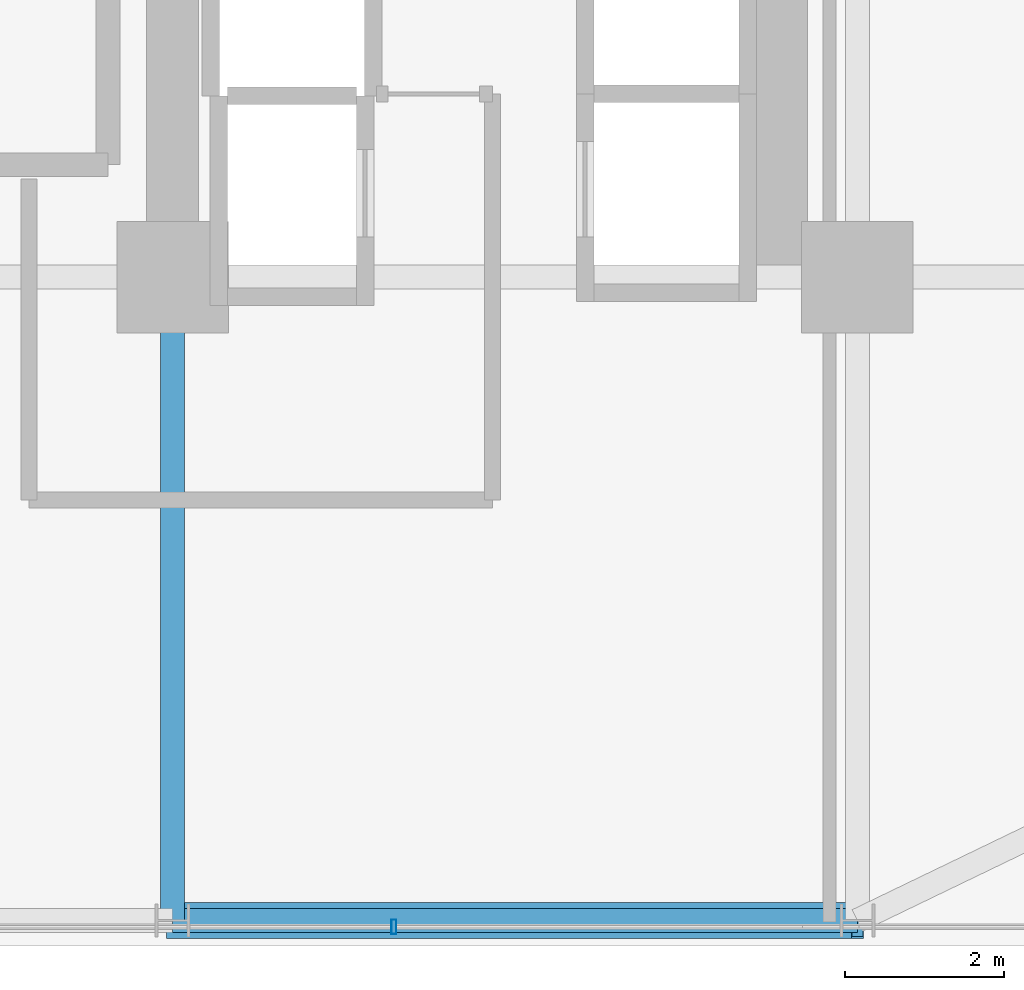
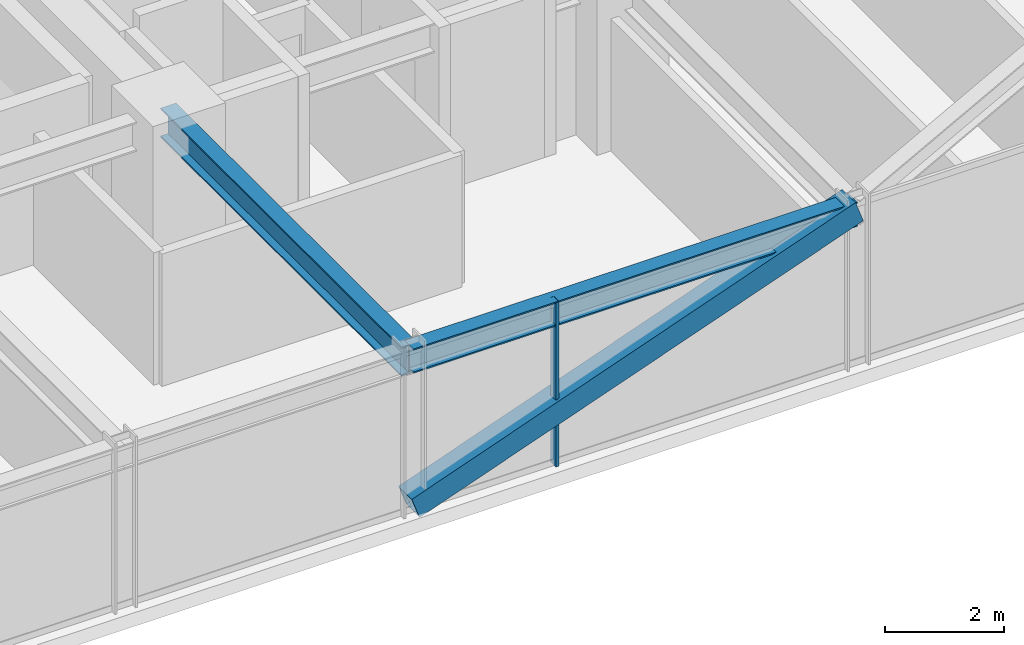
# One storey, part 12 of 36: 2 beams, 2 members, 1 element without a shape of its own.
"""IFC4 building model written with IfcOpenShell, lengths in metres."""

import ifcopenshell
import ifcopenshell.guid

model = None  # the IFC model being written
_history = None  # IfcOwnerHistory: only IFC2X3 demands one
_inside = {}  # id of a spatial element -> (the spatial element, [elements in it])
_under = {}  # id of a project, library or spatial element -> (it, [spatial elements below it])
_declared = {}  # id of a project -> (the project, [libraries it declares])
_typed = {}  # id of a type object -> (the type object, [elements of that type])
_made_of = {}  # id of a material, layer set ... -> (it, [elements and type objects made of it])


def new_model(schema):
    """Start an empty IFC model of exactly this schema.

    Asked for "IFC4X3", IfcOpenShell would pick the latest addendum, in which some entities
    have other attributes; the version numbers below select the first issue.
    IFC2X3 requires an IfcOwnerHistory on every rooted entity: one is made here for all.
    """
    global model, _history
    if schema == "IFC4X3":
        model = ifcopenshell.file(schema_version=(4, 3, 0, 0))
    else:
        model = ifcopenshell.file(schema=schema)
    _inside.clear()
    _under.clear()
    _declared.clear()
    _typed.clear()
    _made_of.clear()
    _history = None
    if model.schema == "IFC2X3":
        org = make("IfcOrganization", Name="unknown")
        user = make(
            "IfcPersonAndOrganization",
            ThePerson=make("IfcPerson", FamilyName="unknown"),
            TheOrganization=org,
        )
        app = make(
            "IfcApplication",
            ApplicationDeveloper=org,
            Version="unknown",
            ApplicationFullName="unknown",
            ApplicationIdentifier="unknown",
        )
        _history = make(
            "IfcOwnerHistory",
            OwningUser=user,
            OwningApplication=app,
            ChangeAction="ADDED",
            CreationDate=0,
        )
    return model


def make(cls, **values):
    """One entity of the class cls with the attributes given. An attribute that is None is left unset."""
    return model.create_entity(
        cls, **{name: value for name, value in values.items() if value is not None}
    )


def rooted(cls, **values):
    """An entity with a GlobalId (a new one), such as an element, a storey or a relation."""
    return make(cls, GlobalId=ifcopenshell.guid.new(), OwnerHistory=_history, **values)


def si_unit(unit_type, name, prefix=None):
    """IfcSIUnit, for example si_unit("LENGTHUNIT", "METRE", prefix="MILLI")."""
    return make("IfcSIUnit", UnitType=unit_type, Prefix=prefix, Name=name)


def assignment(units):
    """IfcUnitAssignment: the units of a project."""
    return None if units is None else make("IfcUnitAssignment", Units=units)


def point(xyz):
    """IfcCartesianPoint."""
    return None if xyz is None else make("IfcCartesianPoint", Coordinates=xyz)


def direction(xyz):
    """IfcDirection."""
    return None if xyz is None else make("IfcDirection", DirectionRatios=xyz)


def frame(location, z_axis=None, x_axis=None):
    """IfcAxis2Placement3D, a coordinate frame: its origin and axes. An axis left out is left unset."""
    return make(
        "IfcAxis2Placement3D",
        Location=point(location),
        Axis=direction(z_axis),
        RefDirection=direction(x_axis),
    )


def frame_2d(location, x_axis=None):
    """IfcAxis2Placement2D, a coordinate frame in the plane: its origin and x axis."""
    return make(
        "IfcAxis2Placement2D", Location=point(location), RefDirection=direction(x_axis)
    )


def origin():
    """The frame at (0, 0, 0) with its axes left unset."""
    return frame((0.0, 0.0, 0.0))


def origin_2d():
    """The frame at (0, 0) in the plane with its x axis left unset."""
    return frame_2d((0.0, 0.0))


def place(relative_to, where):
    """IfcLocalPlacement: puts the frame where relative to a parent placement (None: the world)."""
    return make(
        "IfcLocalPlacement", PlacementRelTo=relative_to, RelativePlacement=where
    )


def context(
    kind, dimensions, precision=None, world=None, true_north=None, identifier=None
):
    """IfcGeometricRepresentationContext, for example the 3D "Model" context."""
    return make(
        "IfcGeometricRepresentationContext",
        ContextIdentifier=identifier,
        ContextType=kind,
        CoordinateSpaceDimension=dimensions,
        Precision=precision,
        WorldCoordinateSystem=world,
        TrueNorth=true_north,
    )


def subcontext(parent, identifier, kind, view, scale=None):
    """IfcGeometricRepresentationSubContext, for example "Body" below "Model"."""
    return make(
        "IfcGeometricRepresentationSubContext",
        ContextIdentifier=identifier,
        ContextType=kind,
        ParentContext=parent,
        TargetScale=scale,
        TargetView=view,
    )


def project(units=None, contexts=None):
    """IfcProject with its units and contexts."""
    return rooted(
        "IfcProject",
        Name="project",
        RepresentationContexts=contexts,
        UnitsInContext=assignment(units),
    )


def spatial(cls, under=None, at=None, **own):
    """A site, building, storey or space (cls), placed at a placement, below another one or the project."""
    s = rooted(cls, ObjectPlacement=at, **own)
    if under is not None:
        _under.setdefault(under.id(), (under, []))[1].append(s)
    return s


def profile(cls, at=None, kind="AREA", **sizes):
    """A parametric profile (cls). Its sizes go by their IFC names, for example OverallWidth=200.0."""
    return make(cls, ProfileType=kind, Position=at, **sizes)


def hollow_rectangle(**sizes):
    """IfcRectangleHollowProfileDef."""
    return profile("IfcRectangleHollowProfileDef", **sizes)


def i_section(**sizes):
    """IfcIShapeProfileDef."""
    return profile("IfcIShapeProfileDef", **sizes)


def extrude(swept, where, along, depth):
    """IfcExtrudedAreaSolid: the profile swept, set in the frame where, extruded along a direction by depth."""
    return make(
        "IfcExtrudedAreaSolid",
        SweptArea=swept,
        Position=where,
        ExtrudedDirection=direction(along),
        Depth=depth,
    )


def shape(context_of_items, identifier, shape_type, items):
    """IfcShapeRepresentation: the items that make up one representation, for example the "Body"."""
    return make(
        "IfcShapeRepresentation",
        ContextOfItems=context_of_items,
        RepresentationIdentifier=identifier,
        RepresentationType=shape_type,
        Items=items,
    )


def source(mapping_origin, context_of_items, identifier, shape_type, items):
    """IfcRepresentationMap: a shape defined once, which mapped items show again and again."""
    return make(
        "IfcRepresentationMap",
        MappingOrigin=mapping_origin,
        MappedRepresentation=shape(context_of_items, identifier, shape_type, items),
    )


def transform(
    local_origin,
    x_axis=None,
    y_axis=None,
    z_axis=None,
    scale=None,
    scale2=None,
    scale3=None,
    uniform=True,
):
    """IfcCartesianTransformationOperator3D, or its non-uniform kind. x_axis, y_axis, z_axis: its Axis1, 2, 3."""
    if uniform:
        return make(
            "IfcCartesianTransformationOperator3D",
            Axis1=direction(x_axis),
            Axis2=direction(y_axis),
            LocalOrigin=point(local_origin),
            Scale=scale,
            Axis3=direction(z_axis),
        )
    return make(
        "IfcCartesianTransformationOperator3DnonUniform",
        Axis1=direction(x_axis),
        Axis2=direction(y_axis),
        LocalOrigin=point(local_origin),
        Scale=scale,
        Axis3=direction(z_axis),
        Scale2=scale2,
        Scale3=scale3,
    )


def mapped(mapping_source, mapping_target):
    """IfcMappedItem: shows the shape of a source again, moved by a transform."""
    return make(
        "IfcMappedItem", MappingSource=mapping_source, MappingTarget=mapping_target
    )


def material(Name=None, Category=None):
    """IfcMaterial."""
    return make("IfcMaterial", Name=Name, Category=Category)


def material_profile(
    of_material, cross_section, Name=None, Category=None, Priority=None
):
    """IfcMaterialProfile: a cross section and its material."""
    return make(
        "IfcMaterialProfile",
        Name=Name,
        Material=of_material,
        Profile=cross_section,
        Priority=Priority,
        Category=Category,
    )


def profile_set(profiles, Name=None, composite=None):
    """IfcMaterialProfileSet."""
    return make(
        "IfcMaterialProfileSet",
        Name=Name,
        MaterialProfiles=profiles,
        CompositeProfile=composite,
    )


def made_of(thing, what):
    """Note that an element or type object is made of a material, layer set ...; save() writes the relation."""
    if what is not None:
        _made_of.setdefault(what.id(), (what, []))[1].append(thing)
    return thing


def type_object(cls, material=None, **own):
    """A type object (cls), such as IfcWallType, which elements share."""
    return made_of(rooted(cls, **own), material)


def element(
    cls,
    number,
    at=None,
    inside=None,
    cuts=None,
    type_object=None,
    material=None,
    context=None,
    identifier="Body",
    shape_type=None,
    held_by="IfcProductDefinitionShape",
    body=None,
    shapes=None,
    **own,
):
    """One element of the class cls, such as IfcWall. Its Tag is "e" and its number.

    at: its placement. inside: the storey or other place that contains it. cuts: it is an
    opening in that element (IfcRelVoidsElement). A single representation is given by context,
    identifier, shape_type and body (its items); several are given by shapes. held_by: the class
    of the entity that holds the representations. save() writes the other relations.
    """
    e = rooted(cls, Tag="e%d" % number, ObjectPlacement=at, **own)
    if body is not None:
        shapes = [shape(context, identifier, shape_type, body)]
    if shapes is not None:
        e.Representation = make(held_by, Representations=shapes)
    if inside is not None:
        _inside.setdefault(inside.id(), (inside, []))[1].append(e)
    if cuts is not None:
        rooted(
            "IfcRelVoidsElement", RelatingBuildingElement=cuts, RelatedOpeningElement=e
        )
    if type_object is not None:
        _typed.setdefault(type_object.id(), (type_object, []))[1].append(e)
    return made_of(e, material)


def aggregate(whole, parts):
    """IfcRelAggregates: a whole, such as a stair, and the parts it consists of."""
    return rooted("IfcRelAggregates", RelatingObject=whole, RelatedObjects=parts)


def save(model, path):
    """Write the relations noted so far, then the file.

    IfcRelAggregates (storeys below a building ...), IfcRelContainedInSpatialStructure (elements
    in a storey), IfcRelDefinesByType, IfcRelAssociatesMaterial and IfcRelDeclares: one each for
    every whole, place, type object, material and project.
    """
    for whole, parts in _under.values():
        aggregate(whole, parts)
    for where, things in _inside.values():
        rooted(
            "IfcRelContainedInSpatialStructure",
            RelatedElements=things,
            RelatingStructure=where,
        )
    for kind, things in _typed.values():
        rooted("IfcRelDefinesByType", RelatedObjects=things, RelatingType=kind)
    for what, things in _made_of.values():
        rooted("IfcRelAssociatesMaterial", RelatedObjects=things, RelatingMaterial=what)
    for by, libraries in _declared.values():
        rooted("IfcRelDeclares", RelatingContext=by, RelatedDefinitions=libraries)
    model.write(path)


model = new_model("IFC4")

# Units and contexts
model_context = context("Model", 3, precision=1e-05, world=origin(), true_north=direction((0.0, 1.0)))
body_context = subcontext(model_context, "Body", "Model", "MODEL_VIEW")
ifc_project = project(units=[si_unit("LENGTHUNIT", "METRE"), si_unit("AREAUNIT", "SQUARE_METRE"), si_unit("VOLUMEUNIT", "CUBIC_METRE"), si_unit("PLANEANGLEUNIT", "RADIAN"), si_unit("MASSUNIT", "GRAM", prefix="KILO")], contexts=[model_context])

# Site, building, storey
site_placement = place(None, origin())
site = spatial("IfcSite", under=ifc_project, at=site_placement, CompositionType="ELEMENT")
building_placement = place(site_placement, origin())
building = spatial("IfcBuilding", under=site, at=building_placement, Name="Nahalor Promenade Grand Hotel", CompositionType="ELEMENT")
storey_placement = place(building_placement, frame((0.0, 0.0, 76.199951171875)))
storey = spatial("IfcBuildingStorey", under=building, at=storey_placement, Name="L18", CompositionType="ELEMENT", Elevation=76.199951171875)

# Beams
ifc_material_1 = material(Name="Steel S355JR", Category="steel")
ifc_material_profile_1 = material_profile(ifc_material_1, i_section(OverallWidth=0.3, OverallDepth=0.5, WebThickness=0.0145, FlangeThickness=0.028, at=origin_2d()), Name="HEB 500")
ifc_profile_set_1 = profile_set([ifc_material_profile_1], Name="Steel S355JR")
beam_type_1 = type_object("IfcBeamType", Name="Beam-Spandrel-HEB500", PredefinedType="SPANDREL", material=ifc_profile_set_1)
shared_shape_1 = source(origin(), body_context, "Body", "SweptSolid", [
    extrude(i_section(OverallWidth=0.3, OverallDepth=0.5, WebThickness=0.0145, FlangeThickness=0.028, at=origin_2d()), origin(), (0.0, 0.0, 1.0), 8.60009765625),
])
beam_1_placement = place(storey_placement, frame((8.39990234375, -25.080078125, 3.1201171875), z_axis=(1.0, 0.0, 0.0), x_axis=(0.0, 1.0, 0.0)))
element("IfcBeam", 1, at=beam_1_placement, inside=storey, type_object=beam_type_1, Name="BM-L18-SP-S-4", PredefinedType="SPANDREL", context=body_context, shape_type="MappedRepresentation", body=[
    mapped(shared_shape_1, transform((0.0, 0.0, 0.0), scale=1.0)),
])
ifc_material_profile_2 = material_profile(ifc_material_1, i_section(OverallWidth=0.3, OverallDepth=0.6, WebThickness=0.0155, FlangeThickness=0.03, at=origin_2d()), Name="HEB 600")
ifc_profile_set_2 = profile_set([ifc_material_profile_2], Name="Steel S355JR")
beam_type_2 = type_object("IfcBeamType", Name="Beam-Girder-HEB600", PredefinedType="BEAM", material=ifc_profile_set_2)
shared_shape_2 = source(origin(), body_context, "Body", "SweptSolid", [
    extrude(i_section(OverallWidth=0.3, OverallDepth=0.6, WebThickness=0.0155, FlangeThickness=0.03, at=origin_2d()), origin(), (0.0, 0.0, 1.0), 8.080078125),
])
beam_2_placement = place(storey_placement, frame((8.39990234375, -25.080078125, 3.070068359375), z_axis=(0.0, 1.0, 0.0), x_axis=(-1.0, 0.0, 0.0)))
element("IfcBeam", 2, at=beam_2_placement, inside=storey, type_object=beam_type_2, Name="BM-L18-GY-4-0", PredefinedType="BEAM", context=body_context, shape_type="MappedRepresentation", body=[
    mapped(shared_shape_2, transform((0.0, 0.0, 0.0), scale=1.0)),
])

# Member
ifc_material_2 = material(Name="Steel S355J2", Category="steel")
ifc_material_profile_3 = material_profile(ifc_material_2, hollow_rectangle(XDim=0.45, YDim=0.45, WallThickness=0.025, at=origin_2d()), Name="SHS 450x450x25")
ifc_profile_set_3 = profile_set([ifc_material_profile_3], Name="Steel S355J2")
member_type_1 = type_object("IfcMemberType", Name="Mem-ExoBrace-SHS450", PredefinedType="BRACE", material=ifc_profile_set_3)
shared_shape_3 = source(origin(), body_context, "Body", "SweptSolid", [
    extrude(hollow_rectangle(XDim=0.45, YDim=0.45, WallThickness=0.025, at=origin_2d()), origin(), (0.0, 0.0, 1.0), 9.131591796875),
])
member_1_placement = place(storey_placement, frame((8.39990234375, -25.080078125, 0.150146484375), z_axis=(0.941798757288, 0.0, 0.336177186571), x_axis=(0.0, 1.0, 0.0)))
element("IfcMember", 3, at=member_1_placement, inside=storey, type_object=member_type_1, Name="EXO-L18-S-1", PredefinedType="BRACE", context=body_context, shape_type="MappedRepresentation", body=[
    mapped(shared_shape_3, transform((0.0, 0.0, 0.0), scale=1.0)),
])

# Curtain wall, member
ifc_material_3 = material(Name="Anodised Bronze Aluminium EN AW-6063 T6", Category="aluminium")
curtain_wall_type = type_object("IfcCurtainWallType", Name="CW2 Typical Hotel Flush Bronze Unitised Curtain Wall", PredefinedType="USERDEFINED", material=ifc_material_3)
curtain_wall_placement = place(storey_placement, origin())
curtain_wall = element("IfcCurtainWall", 4, at=curtain_wall_placement, inside=storey, type_object=curtain_wall_type, Name="L18 Curtain Wall CW-L18-S-1", ObjectType="UNITISED_CURTAIN_WALL", PredefinedType="USERDEFINED")
ifc_material_profile_4 = material_profile(ifc_material_3, hollow_rectangle(XDim=0.065, YDim=0.18, WallThickness=0.004, at=origin_2d()), Name="CWM 65x180x4")
ifc_profile_set_4 = profile_set([ifc_material_profile_4], Name="Anodised Bronze Aluminium EN AW-6063 T6")
member_type_2 = type_object("IfcMemberType", Name="CWM2 Typical Bronze Mullion 65x180", PredefinedType="MULLION", material=ifc_profile_set_4)
shared_shape_4 = source(origin(), body_context, "Body", "SweptSolid", [
    extrude(hollow_rectangle(XDim=0.065, YDim=0.18, WallThickness=0.004, at=origin_2d()), origin(), (0.0, 0.0, 1.0), 3.3701171875),
])
member_2_placement = place(storey_placement, frame((11.179931640625, -25.159912109375, 0.0), z_axis=(0.0, 0.0, 1.0), x_axis=(1.0, 0.0, 0.0)))
member_2 = element("IfcMember", 5, at=member_2_placement, type_object=member_type_2, Name="CW-L18-S-1 Mullion 3", PredefinedType="MULLION", context=body_context, shape_type="MappedRepresentation", body=[
    mapped(shared_shape_4, transform((0.0, 0.0, 0.0), scale=1.0)),
])
aggregate(curtain_wall, [member_2])

save(model, "model.ifc")
